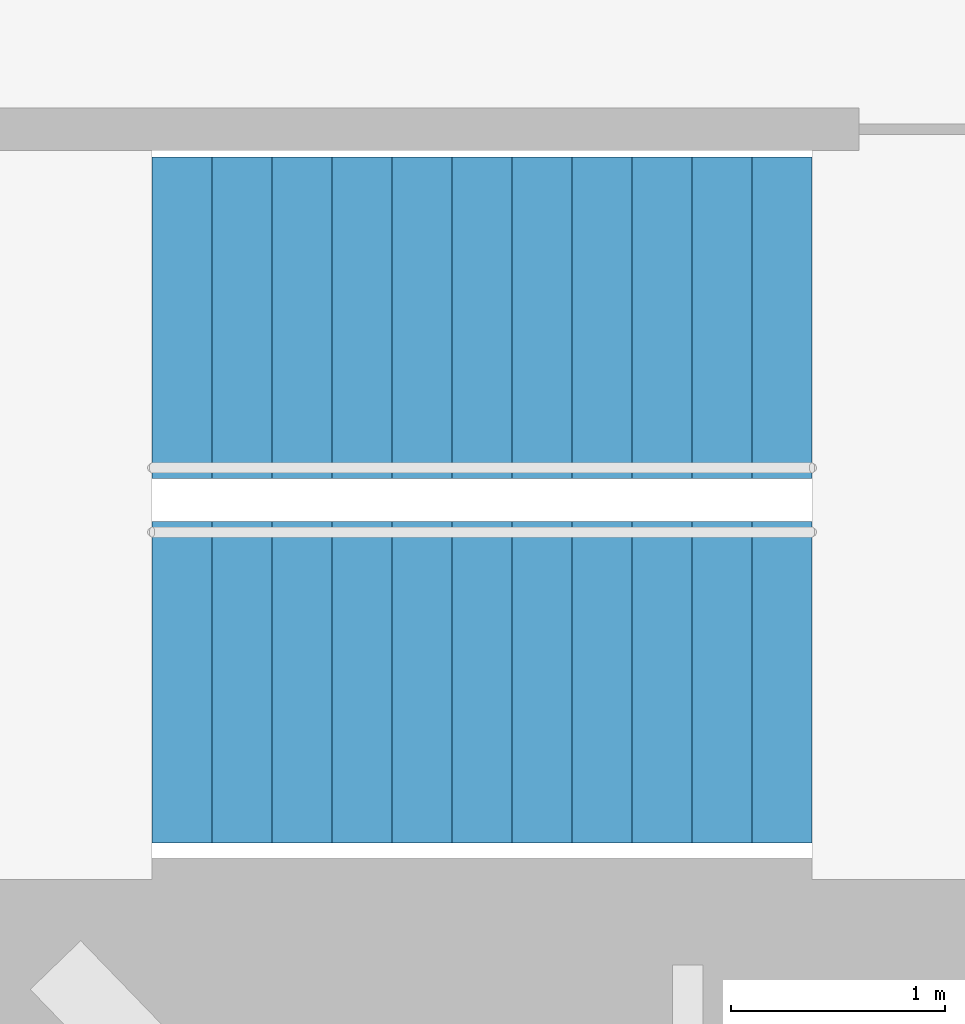
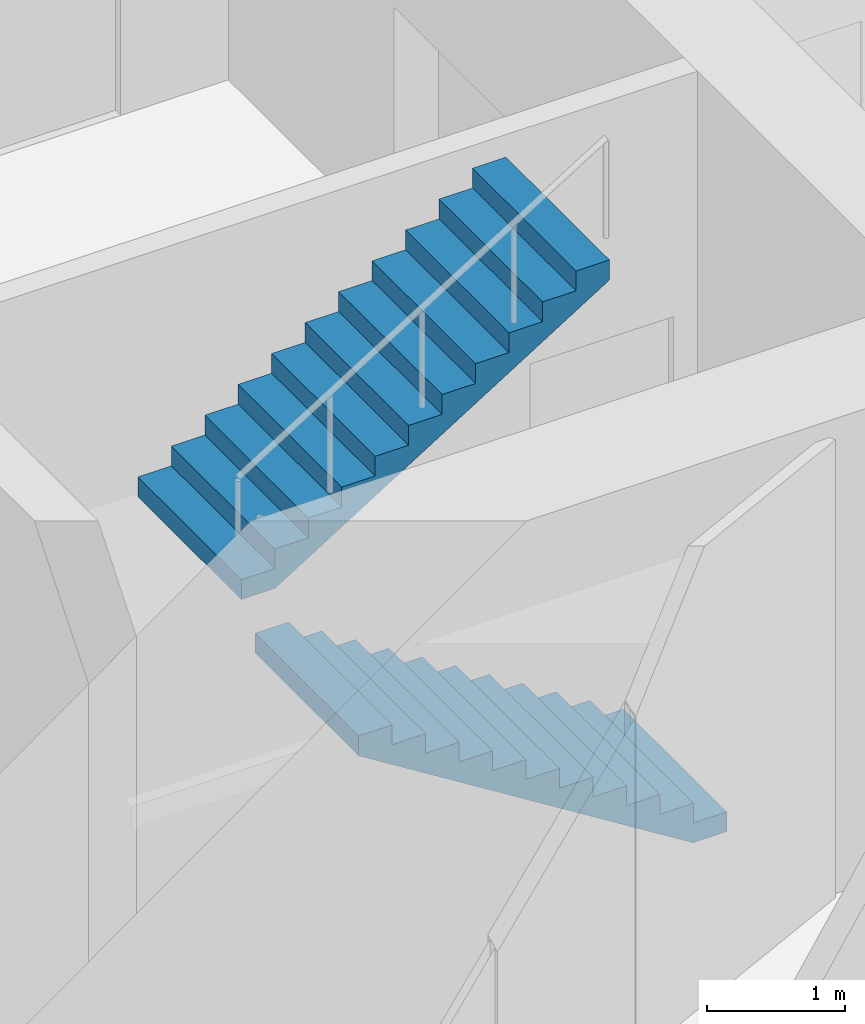
# One storey, part 16 of 17: 2 stair flights, 1 element without a shape of its own.
"""IFC4 building model written with IfcOpenShell, lengths in metres."""

from ifc_helpers import new_model, si_unit, direction, frame, origin, place, context, subcontext, project, spatial, triangles, material, type_object, element, aggregate, save


model = new_model("IFC4")

# Units and contexts
model_context = context("Model", 3, precision=1e-05, world=origin(), true_north=direction((0.0, 1.0)))
body_context = subcontext(model_context, "Body", "Model", "MODEL_VIEW")
ifc_project = project(units=[si_unit("LENGTHUNIT", "METRE"), si_unit("AREAUNIT", "SQUARE_METRE"), si_unit("VOLUMEUNIT", "CUBIC_METRE"), si_unit("PLANEANGLEUNIT", "RADIAN"), si_unit("MASSUNIT", "GRAM", prefix="KILO")], contexts=[model_context])

# Site, building, storey
site_placement = place(None, origin())
site = spatial("IfcSite", under=ifc_project, at=site_placement, CompositionType="ELEMENT")
building_placement = place(site_placement, origin())
building = spatial("IfcBuilding", under=site, at=building_placement, Name="Lantaw Convention Tower", CompositionType="ELEMENT")
storey_placement = place(building_placement, frame((0.0, 0.0, 220.0)))
storey = spatial("IfcBuildingStorey", under=building, at=storey_placement, Name="L51", CompositionType="ELEMENT", Elevation=220.0)

# Stair, stair flights
ifc_material = material(Name="Concrete C35/45", Category="concrete")
stair_type = type_object("IfcStairType", Name="Exit stair 1500 riser 175 in 2 flights", PredefinedType="HALF_TURN_STAIR", material=ifc_material)
stair_placement = place(storey_placement, origin())
stair = element("IfcStair", 1, at=stair_placement, inside=storey, type_object=stair_type, Name="Exit stair S2 L51", PredefinedType="HALF_TURN_STAIR")
stair_flight_type = type_object("IfcStairFlightType", Name="Stair flight 1500 riser 175", PredefinedType="STRAIGHT", material=ifc_material)
stair_flight_1_placement = place(storey_placement, frame((10.580078125, -5.97998046875, 0.0), z_axis=(0.0, 0.0, 1.0), x_axis=(-1.0, 0.0, 0.0)))
stair_flight_1 = element("IfcStairFlight", 2, at=stair_flight_1_placement, type_object=stair_flight_type, Name="S2 flight 1", NumberOfRisers=12, NumberOfTreads=11, PredefinedType="STRAIGHT", RiserHeight=0.175, TreadLength=0.28, context=body_context, shape_type="Tessellation", body=[
    triangles([(0.0, 0.75, 0.0), (0.0, 0.75, 0.175), (0.28, 0.75, 0.0), (0.28, 0.75, 0.175), (0.28, 0.75, 0.35), (0.28283517651771284, 0.75, 0.0), (0.28283517651771284, 0.75, 0.35), (0.56, 0.75, 0.17322801467642948), (0.56, 0.75, 0.35), (0.56, 0.75, 0.5249999999999999), (0.8400000000000001, 0.75, 0.34822801467642944), (0.8400000000000001, 0.75, 0.5249999999999999), (0.8400000000000001, 0.75, 0.7), (1.12, 0.75, 0.5232280146764294), (1.12, 0.75, 0.7), (1.12, 0.75, 0.875), (1.4000000000000001, 0.75, 0.6982280146764295), (1.4000000000000001, 0.75, 0.875), (1.4000000000000001, 0.75, 1.0499999999999998), (1.6800000000000002, 0.75, 0.8732280146764294), (1.6800000000000002, 0.75, 1.0499999999999998), (1.6800000000000002, 0.75, 1.2249999999999999), (1.9600000000000002, 0.75, 1.0482280146764293), (1.9600000000000002, 0.75, 1.2249999999999999), (1.9600000000000002, 0.75, 1.4), (2.24, 0.75, 1.2232280146764294), (2.24, 0.75, 1.4), (2.24, 0.75, 1.575), (2.5200000000000005, 0.75, 1.3982280146764294), (2.5200000000000005, 0.75, 1.575), (2.5200000000000005, 0.75, 1.75), (2.8000000000000003, 0.75, 1.5732280146764293), (2.8000000000000003, 0.75, 1.75), (2.8000000000000003, 0.75, 1.9249999999999998), (3.08, 0.75, 1.7482280146764293), (3.08, 0.75, 1.9249999999999998), (0.0, -0.75, 0.0), (0.0, -0.75, 0.175), (0.28, -0.75, 0.0), (0.28, -0.75, 0.175), (0.28, -0.75, 0.35), (0.28283517651771284, -0.75, 0.0), (0.28283517651771284, -0.75, 0.35), (0.56, -0.75, 0.17322801467642948), (0.56, -0.75, 0.35), (0.56, -0.75, 0.5249999999999999), (0.8400000000000001, -0.75, 0.34822801467642944), (0.8400000000000001, -0.75, 0.5249999999999999), (0.8400000000000001, -0.75, 0.7), (1.12, -0.75, 0.5232280146764294), (1.12, -0.75, 0.7), (1.12, -0.75, 0.875), (1.4000000000000001, -0.75, 0.6982280146764295), (1.4000000000000001, -0.75, 0.875), (1.4000000000000001, -0.75, 1.0499999999999998), (1.6800000000000002, -0.75, 0.8732280146764294), (1.6800000000000002, -0.75, 1.0499999999999998), (1.6800000000000002, -0.75, 1.2249999999999999), (1.9600000000000002, -0.75, 1.0482280146764293), (1.9600000000000002, -0.75, 1.2249999999999999), (1.9600000000000002, -0.75, 1.4), (2.24, -0.75, 1.2232280146764294), (2.24, -0.75, 1.4), (2.24, -0.75, 1.575), (2.5200000000000005, -0.75, 1.3982280146764294), (2.5200000000000005, -0.75, 1.575), (2.5200000000000005, -0.75, 1.75), (2.8000000000000003, -0.75, 1.5732280146764293), (2.8000000000000003, -0.75, 1.75), (2.8000000000000003, -0.75, 1.9249999999999998), (3.08, -0.75, 1.7482280146764293), (3.08, -0.75, 1.9249999999999998), (0.0, 0.15000000000000002, 0.175), (0.0, 0.15000000000000002, 0.0), (0.0, 0.0, 0.175), (0.0, 0.0, 0.0), (0.0, -0.15000000000000002, 0.175), (0.0, -0.15000000000000002, 0.0), (0.28, 0.15000000000000002, 0.35), (0.28, 0.15000000000000002, 0.175), (0.28, 0.0, 0.35), (0.28, 0.0, 0.175), (0.28, -0.15000000000000002, 0.35), (0.28, -0.15000000000000002, 0.175), (0.56, 0.15000000000000002, 0.5249999999999999), (0.56, 0.15000000000000002, 0.35), (0.56, 0.0, 0.5249999999999999), (0.56, 0.0, 0.35), (0.56, -0.15000000000000002, 0.5249999999999999), (0.56, -0.15000000000000002, 0.35), (0.8400000000000001, 0.15000000000000002, 0.7), (0.8400000000000001, 0.15000000000000002, 0.5249999999999999), (0.8400000000000001, 0.0, 0.7), (0.8400000000000001, 0.0, 0.5249999999999999), (0.8400000000000001, -0.15000000000000002, 0.7), (0.8400000000000001, -0.15000000000000002, 0.5249999999999999), (1.12, 0.15000000000000002, 0.875), (1.12, 0.15000000000000002, 0.7), (1.12, 0.0, 0.875), (1.12, 0.0, 0.7), (1.12, -0.15000000000000002, 0.875), (1.12, -0.15000000000000002, 0.7), (1.4000000000000001, 0.15000000000000002, 1.0499999999999998), (1.4000000000000001, 0.15000000000000002, 0.875), (1.4000000000000001, 0.0, 1.0499999999999998), (1.4000000000000001, 0.0, 0.875), (1.4000000000000001, -0.15000000000000002, 1.0499999999999998), (1.4000000000000001, -0.15000000000000002, 0.875), (1.6800000000000002, 0.15000000000000002, 1.2249999999999999), (1.6800000000000002, 0.15000000000000002, 1.0499999999999998), (1.6800000000000002, 0.0, 1.2249999999999999), (1.6800000000000002, 0.0, 1.0499999999999998), (1.6800000000000002, -0.15000000000000002, 1.2249999999999999), (1.6800000000000002, -0.15000000000000002, 1.0499999999999998), (1.9600000000000002, 0.15000000000000002, 1.4), (1.9600000000000002, 0.15000000000000002, 1.2249999999999999), (1.9600000000000002, 0.0, 1.4), (1.9600000000000002, 0.0, 1.2249999999999999), (1.9600000000000002, -0.15000000000000002, 1.4), (1.9600000000000002, -0.15000000000000002, 1.2249999999999999), (2.24, 0.15000000000000002, 1.575), (2.24, 0.15000000000000002, 1.4), (2.24, 0.0, 1.575), (2.24, 0.0, 1.4), (2.24, -0.15000000000000002, 1.575), (2.24, -0.15000000000000002, 1.4), (2.5200000000000005, 0.15000000000000002, 1.75), (2.5200000000000005, 0.15000000000000002, 1.575), (2.5200000000000005, 0.0, 1.75), (2.5200000000000005, 0.0, 1.575), (2.5200000000000005, -0.15000000000000002, 1.75), (2.5200000000000005, -0.15000000000000002, 1.575), (2.8000000000000003, 0.15000000000000002, 1.9249999999999998), (2.8000000000000003, 0.15000000000000002, 1.75), (2.8000000000000003, 0.0, 1.9249999999999998), (2.8000000000000003, 0.0, 1.75), (2.8000000000000003, -0.15000000000000002, 1.9249999999999998), (2.8000000000000003, -0.15000000000000002, 1.75), (0.28283517651771284, 0.15000000000000002, 0.35), (0.28283517651771284, 0.0, 0.35), (0.28283517651771284, -0.15000000000000002, 0.35), (3.08, 0.15000000000000002, 1.9249999999999998), (3.08, 0.0, 1.9249999999999998), (3.08, -0.15000000000000002, 1.9249999999999998), (3.08, 0.15000000000000002, 1.7482280146764293), (3.08, 0.0, 1.7482280146764293), (3.08, -0.15000000000000002, 1.7482280146764293), (2.8000000000000003, 0.15000000000000002, 1.5732280146764293), (2.8000000000000003, 0.0, 1.5732280146764293), (2.8000000000000003, -0.15000000000000002, 1.5732280146764293), (2.5200000000000005, 0.15000000000000002, 1.3982280146764294), (2.5200000000000005, 0.0, 1.3982280146764294), (2.5200000000000005, -0.15000000000000002, 1.3982280146764294), (2.24, 0.15000000000000002, 1.2232280146764294), (2.24, 0.0, 1.2232280146764294), (2.24, -0.15000000000000002, 1.2232280146764294), (1.9600000000000002, 0.15000000000000002, 1.0482280146764293), (1.9600000000000002, 0.0, 1.0482280146764293), (1.9600000000000002, -0.15000000000000002, 1.0482280146764293), (1.6800000000000002, 0.15000000000000002, 0.8732280146764294), (1.6800000000000002, 0.0, 0.8732280146764294), (1.6800000000000002, -0.15000000000000002, 0.8732280146764294), (1.4000000000000001, 0.15000000000000002, 0.6982280146764295), (1.4000000000000001, 0.0, 0.6982280146764295), (1.4000000000000001, -0.15000000000000002, 0.6982280146764295), (1.12, 0.15000000000000002, 0.5232280146764294), (1.12, 0.0, 0.5232280146764294), (1.12, -0.15000000000000002, 0.5232280146764294), (0.8400000000000001, 0.15000000000000002, 0.34822801467642944), (0.8400000000000001, 0.0, 0.34822801467642944), (0.8400000000000001, -0.15000000000000002, 0.34822801467642944), (0.56, 0.15000000000000002, 0.17322801467642948), (0.56, 0.0, 0.17322801467642948), (0.56, -0.15000000000000002, 0.17322801467642948), (0.28283517651771284, 0.15000000000000002, 0.0), (0.28283517651771284, 0.0, 0.0), (0.28283517651771284, -0.15000000000000002, 0.0), (0.28, 0.15000000000000002, 0.0), (0.28, 0.0, 0.0), (0.28, -0.15000000000000002, 0.0)], [[1, 4, 3], [1, 2, 4], [3, 4, 6], [4, 7, 6], [4, 5, 7], [6, 9, 8], [6, 7, 9], [8, 9, 11], [9, 12, 11], [9, 10, 12], [11, 12, 14], [12, 15, 14], [12, 13, 15], [14, 15, 17], [15, 18, 17], [15, 16, 18], [17, 18, 20], [18, 21, 20], [18, 19, 21], [20, 21, 23], [21, 24, 23], [21, 22, 24], [23, 24, 26], [24, 27, 26], [24, 25, 27], [26, 27, 29], [27, 30, 29], [27, 28, 30], [29, 30, 32], [30, 33, 32], [30, 31, 33], [32, 33, 35], [33, 36, 35], [33, 34, 36], [37, 39, 40], [37, 40, 38], [39, 42, 40], [40, 42, 43], [40, 43, 41], [42, 44, 45], [42, 45, 43], [44, 47, 45], [45, 47, 48], [45, 48, 46], [47, 50, 48], [48, 50, 51], [48, 51, 49], [50, 53, 51], [51, 53, 54], [51, 54, 52], [53, 56, 54], [54, 56, 57], [54, 57, 55], [56, 59, 57], [57, 59, 60], [57, 60, 58], [59, 62, 60], [60, 62, 63], [60, 63, 61], [62, 65, 63], [63, 65, 66], [63, 66, 64], [65, 68, 66], [66, 68, 69], [66, 69, 67], [68, 71, 69], [69, 71, 72], [69, 72, 70], [1, 73, 2], [1, 74, 73], [74, 75, 73], [74, 76, 75], [76, 77, 75], [76, 78, 77], [78, 38, 77], [78, 37, 38], [4, 79, 5], [4, 80, 79], [80, 81, 79], [80, 82, 81], [82, 83, 81], [82, 84, 83], [84, 41, 83], [84, 40, 41], [9, 85, 10], [9, 86, 85], [86, 87, 85], [86, 88, 87], [88, 89, 87], [88, 90, 89], [90, 46, 89], [90, 45, 46], [12, 91, 13], [12, 92, 91], [92, 93, 91], [92, 94, 93], [94, 95, 93], [94, 96, 95], [96, 49, 95], [96, 48, 49], [15, 97, 16], [15, 98, 97], [98, 99, 97], [98, 100, 99], [100, 101, 99], [100, 102, 101], [102, 52, 101], [102, 51, 52], [18, 103, 19], [18, 104, 103], [104, 105, 103], [104, 106, 105], [106, 107, 105], [106, 108, 107], [108, 55, 107], [108, 54, 55], [21, 109, 22], [21, 110, 109], [110, 111, 109], [110, 112, 111], [112, 113, 111], [112, 114, 113], [114, 58, 113], [114, 57, 58], [24, 115, 25], [24, 116, 115], [116, 117, 115], [116, 118, 117], [118, 119, 117], [118, 120, 119], [120, 61, 119], [120, 60, 61], [27, 121, 28], [27, 122, 121], [122, 123, 121], [122, 124, 123], [124, 125, 123], [124, 126, 125], [126, 64, 125], [126, 63, 64], [30, 127, 31], [30, 128, 127], [128, 129, 127], [128, 130, 129], [130, 131, 129], [130, 132, 131], [132, 67, 131], [132, 66, 67], [33, 133, 34], [33, 134, 133], [134, 135, 133], [134, 136, 135], [136, 137, 135], [136, 138, 137], [138, 70, 137], [138, 69, 70], [2, 80, 4], [2, 73, 80], [73, 82, 80], [73, 75, 82], [75, 84, 82], [75, 77, 84], [77, 40, 84], [77, 38, 40], [5, 139, 7], [5, 79, 139], [79, 140, 139], [79, 81, 140], [81, 141, 140], [81, 83, 141], [83, 43, 141], [83, 41, 43], [7, 86, 9], [7, 139, 86], [139, 88, 86], [139, 140, 88], [140, 90, 88], [140, 141, 90], [141, 45, 90], [141, 43, 45], [10, 92, 12], [10, 85, 92], [85, 94, 92], [85, 87, 94], [87, 96, 94], [87, 89, 96], [89, 48, 96], [89, 46, 48], [13, 98, 15], [13, 91, 98], [91, 100, 98], [91, 93, 100], [93, 102, 100], [93, 95, 102], [95, 51, 102], [95, 49, 51], [16, 104, 18], [16, 97, 104], [97, 106, 104], [97, 99, 106], [99, 108, 106], [99, 101, 108], [101, 54, 108], [101, 52, 54], [19, 110, 21], [19, 103, 110], [103, 112, 110], [103, 105, 112], [105, 114, 112], [105, 107, 114], [107, 57, 114], [107, 55, 57], [22, 116, 24], [22, 109, 116], [109, 118, 116], [109, 111, 118], [111, 120, 118], [111, 113, 120], [113, 60, 120], [113, 58, 60], [25, 122, 27], [25, 115, 122], [115, 124, 122], [115, 117, 124], [117, 126, 124], [117, 119, 126], [119, 63, 126], [119, 61, 63], [28, 128, 30], [28, 121, 128], [121, 130, 128], [121, 123, 130], [123, 132, 130], [123, 125, 132], [125, 66, 132], [125, 64, 66], [31, 134, 33], [31, 127, 134], [127, 136, 134], [127, 129, 136], [129, 138, 136], [129, 131, 138], [131, 69, 138], [131, 67, 69], [34, 142, 36], [34, 133, 142], [133, 143, 142], [133, 135, 143], [135, 144, 143], [135, 137, 144], [137, 72, 144], [137, 70, 72], [36, 145, 35], [36, 142, 145], [142, 146, 145], [142, 143, 146], [143, 147, 146], [143, 144, 147], [144, 71, 147], [144, 72, 71], [35, 148, 32], [35, 145, 148], [145, 149, 148], [145, 146, 149], [146, 150, 149], [146, 147, 150], [147, 68, 150], [147, 71, 68], [32, 151, 29], [32, 148, 151], [148, 152, 151], [148, 149, 152], [149, 153, 152], [149, 150, 153], [150, 65, 153], [150, 68, 65], [29, 154, 26], [29, 151, 154], [151, 155, 154], [151, 152, 155], [152, 156, 155], [152, 153, 156], [153, 62, 156], [153, 65, 62], [26, 157, 23], [26, 154, 157], [154, 158, 157], [154, 155, 158], [155, 159, 158], [155, 156, 159], [156, 59, 159], [156, 62, 59], [23, 160, 20], [23, 157, 160], [157, 161, 160], [157, 158, 161], [158, 162, 161], [158, 159, 162], [159, 56, 162], [159, 59, 56], [20, 163, 17], [20, 160, 163], [160, 164, 163], [160, 161, 164], [161, 165, 164], [161, 162, 165], [162, 53, 165], [162, 56, 53], [17, 166, 14], [17, 163, 166], [163, 167, 166], [163, 164, 167], [164, 168, 167], [164, 165, 168], [165, 50, 168], [165, 53, 50], [14, 169, 11], [14, 166, 169], [166, 170, 169], [166, 167, 170], [167, 171, 170], [167, 168, 171], [168, 47, 171], [168, 50, 47], [11, 172, 8], [11, 169, 172], [169, 173, 172], [169, 170, 173], [170, 174, 173], [170, 171, 174], [171, 44, 174], [171, 47, 44], [8, 175, 6], [8, 172, 175], [172, 176, 175], [172, 173, 176], [173, 177, 176], [173, 174, 177], [174, 42, 177], [174, 44, 42], [6, 178, 3], [6, 175, 178], [175, 179, 178], [175, 176, 179], [176, 180, 179], [176, 177, 180], [177, 39, 180], [177, 42, 39], [3, 74, 1], [3, 178, 74], [178, 76, 74], [178, 179, 76], [179, 78, 76], [179, 180, 78], [180, 37, 78], [180, 39, 37]], closed=True),
])
stair_flight_2_placement = place(storey_placement, frame((7.5, -4.280029296875, 2.10009765625), z_axis=(0.0, 0.0, 1.0), x_axis=(1.0, 0.0, 0.0)))
stair_flight_2 = element("IfcStairFlight", 3, at=stair_flight_2_placement, type_object=stair_flight_type, Name="S2 flight 2", NumberOfRisers=12, NumberOfTreads=11, PredefinedType="STRAIGHT", RiserHeight=0.175, TreadLength=0.28, context=body_context, shape_type="Tessellation", body=[
    triangles([(0.0, 0.75, 0.0), (0.0, 0.75, 0.175), (0.28, 0.75, 0.0), (0.28, 0.75, 0.175), (0.28, 0.75, 0.35), (0.28283517651771284, 0.75, 0.0), (0.28283517651771284, 0.75, 0.35), (0.56, 0.75, 0.17322801467642948), (0.56, 0.75, 0.35), (0.56, 0.75, 0.5249999999999999), (0.8400000000000001, 0.75, 0.34822801467642944), (0.8400000000000001, 0.75, 0.5249999999999999), (0.8400000000000001, 0.75, 0.7), (1.12, 0.75, 0.5232280146764294), (1.12, 0.75, 0.7), (1.12, 0.75, 0.875), (1.4000000000000001, 0.75, 0.6982280146764295), (1.4000000000000001, 0.75, 0.875), (1.4000000000000001, 0.75, 1.0499999999999998), (1.6800000000000002, 0.75, 0.8732280146764294), (1.6800000000000002, 0.75, 1.0499999999999998), (1.6800000000000002, 0.75, 1.2249999999999999), (1.9600000000000002, 0.75, 1.0482280146764293), (1.9600000000000002, 0.75, 1.2249999999999999), (1.9600000000000002, 0.75, 1.4), (2.24, 0.75, 1.2232280146764294), (2.24, 0.75, 1.4), (2.24, 0.75, 1.575), (2.5200000000000005, 0.75, 1.3982280146764294), (2.5200000000000005, 0.75, 1.575), (2.5200000000000005, 0.75, 1.75), (2.8000000000000003, 0.75, 1.5732280146764293), (2.8000000000000003, 0.75, 1.75), (2.8000000000000003, 0.75, 1.9249999999999998), (3.08, 0.75, 1.7482280146764293), (3.08, 0.75, 1.9249999999999998), (0.0, -0.75, 0.0), (0.0, -0.75, 0.175), (0.28, -0.75, 0.0), (0.28, -0.75, 0.175), (0.28, -0.75, 0.35), (0.28283517651771284, -0.75, 0.0), (0.28283517651771284, -0.75, 0.35), (0.56, -0.75, 0.17322801467642948), (0.56, -0.75, 0.35), (0.56, -0.75, 0.5249999999999999), (0.8400000000000001, -0.75, 0.34822801467642944), (0.8400000000000001, -0.75, 0.5249999999999999), (0.8400000000000001, -0.75, 0.7), (1.12, -0.75, 0.5232280146764294), (1.12, -0.75, 0.7), (1.12, -0.75, 0.875), (1.4000000000000001, -0.75, 0.6982280146764295), (1.4000000000000001, -0.75, 0.875), (1.4000000000000001, -0.75, 1.0499999999999998), (1.6800000000000002, -0.75, 0.8732280146764294), (1.6800000000000002, -0.75, 1.0499999999999998), (1.6800000000000002, -0.75, 1.2249999999999999), (1.9600000000000002, -0.75, 1.0482280146764293), (1.9600000000000002, -0.75, 1.2249999999999999), (1.9600000000000002, -0.75, 1.4), (2.24, -0.75, 1.2232280146764294), (2.24, -0.75, 1.4), (2.24, -0.75, 1.575), (2.5200000000000005, -0.75, 1.3982280146764294), (2.5200000000000005, -0.75, 1.575), (2.5200000000000005, -0.75, 1.75), (2.8000000000000003, -0.75, 1.5732280146764293), (2.8000000000000003, -0.75, 1.75), (2.8000000000000003, -0.75, 1.9249999999999998), (3.08, -0.75, 1.7482280146764293), (3.08, -0.75, 1.9249999999999998), (0.0, 0.15000000000000002, 0.175), (0.0, 0.15000000000000002, 0.0), (0.0, 0.0, 0.175), (0.0, 0.0, 0.0), (0.0, -0.15000000000000002, 0.175), (0.0, -0.15000000000000002, 0.0), (0.28, 0.15000000000000002, 0.35), (0.28, 0.15000000000000002, 0.175), (0.28, 0.0, 0.35), (0.28, 0.0, 0.175), (0.28, -0.15000000000000002, 0.35), (0.28, -0.15000000000000002, 0.175), (0.56, 0.15000000000000002, 0.5249999999999999), (0.56, 0.15000000000000002, 0.35), (0.56, 0.0, 0.5249999999999999), (0.56, 0.0, 0.35), (0.56, -0.15000000000000002, 0.5249999999999999), (0.56, -0.15000000000000002, 0.35), (0.8400000000000001, 0.15000000000000002, 0.7), (0.8400000000000001, 0.15000000000000002, 0.5249999999999999), (0.8400000000000001, 0.0, 0.7), (0.8400000000000001, 0.0, 0.5249999999999999), (0.8400000000000001, -0.15000000000000002, 0.7), (0.8400000000000001, -0.15000000000000002, 0.5249999999999999), (1.12, 0.15000000000000002, 0.875), (1.12, 0.15000000000000002, 0.7), (1.12, 0.0, 0.875), (1.12, 0.0, 0.7), (1.12, -0.15000000000000002, 0.875), (1.12, -0.15000000000000002, 0.7), (1.4000000000000001, 0.15000000000000002, 1.0499999999999998), (1.4000000000000001, 0.15000000000000002, 0.875), (1.4000000000000001, 0.0, 1.0499999999999998), (1.4000000000000001, 0.0, 0.875), (1.4000000000000001, -0.15000000000000002, 1.0499999999999998), (1.4000000000000001, -0.15000000000000002, 0.875), (1.6800000000000002, 0.15000000000000002, 1.2249999999999999), (1.6800000000000002, 0.15000000000000002, 1.0499999999999998), (1.6800000000000002, 0.0, 1.2249999999999999), (1.6800000000000002, 0.0, 1.0499999999999998), (1.6800000000000002, -0.15000000000000002, 1.2249999999999999), (1.6800000000000002, -0.15000000000000002, 1.0499999999999998), (1.9600000000000002, 0.15000000000000002, 1.4), (1.9600000000000002, 0.15000000000000002, 1.2249999999999999), (1.9600000000000002, 0.0, 1.4), (1.9600000000000002, 0.0, 1.2249999999999999), (1.9600000000000002, -0.15000000000000002, 1.4), (1.9600000000000002, -0.15000000000000002, 1.2249999999999999), (2.24, 0.15000000000000002, 1.575), (2.24, 0.15000000000000002, 1.4), (2.24, 0.0, 1.575), (2.24, 0.0, 1.4), (2.24, -0.15000000000000002, 1.575), (2.24, -0.15000000000000002, 1.4), (2.5200000000000005, 0.15000000000000002, 1.75), (2.5200000000000005, 0.15000000000000002, 1.575), (2.5200000000000005, 0.0, 1.75), (2.5200000000000005, 0.0, 1.575), (2.5200000000000005, -0.15000000000000002, 1.75), (2.5200000000000005, -0.15000000000000002, 1.575), (2.8000000000000003, 0.15000000000000002, 1.9249999999999998), (2.8000000000000003, 0.15000000000000002, 1.75), (2.8000000000000003, 0.0, 1.9249999999999998), (2.8000000000000003, 0.0, 1.75), (2.8000000000000003, -0.15000000000000002, 1.9249999999999998), (2.8000000000000003, -0.15000000000000002, 1.75), (0.28283517651771284, 0.15000000000000002, 0.35), (0.28283517651771284, 0.0, 0.35), (0.28283517651771284, -0.15000000000000002, 0.35), (3.08, 0.15000000000000002, 1.9249999999999998), (3.08, 0.0, 1.9249999999999998), (3.08, -0.15000000000000002, 1.9249999999999998), (3.08, 0.15000000000000002, 1.7482280146764293), (3.08, 0.0, 1.7482280146764293), (3.08, -0.15000000000000002, 1.7482280146764293), (2.8000000000000003, 0.15000000000000002, 1.5732280146764293), (2.8000000000000003, 0.0, 1.5732280146764293), (2.8000000000000003, -0.15000000000000002, 1.5732280146764293), (2.5200000000000005, 0.15000000000000002, 1.3982280146764294), (2.5200000000000005, 0.0, 1.3982280146764294), (2.5200000000000005, -0.15000000000000002, 1.3982280146764294), (2.24, 0.15000000000000002, 1.2232280146764294), (2.24, 0.0, 1.2232280146764294), (2.24, -0.15000000000000002, 1.2232280146764294), (1.9600000000000002, 0.15000000000000002, 1.0482280146764293), (1.9600000000000002, 0.0, 1.0482280146764293), (1.9600000000000002, -0.15000000000000002, 1.0482280146764293), (1.6800000000000002, 0.15000000000000002, 0.8732280146764294), (1.6800000000000002, 0.0, 0.8732280146764294), (1.6800000000000002, -0.15000000000000002, 0.8732280146764294), (1.4000000000000001, 0.15000000000000002, 0.6982280146764295), (1.4000000000000001, 0.0, 0.6982280146764295), (1.4000000000000001, -0.15000000000000002, 0.6982280146764295), (1.12, 0.15000000000000002, 0.5232280146764294), (1.12, 0.0, 0.5232280146764294), (1.12, -0.15000000000000002, 0.5232280146764294), (0.8400000000000001, 0.15000000000000002, 0.34822801467642944), (0.8400000000000001, 0.0, 0.34822801467642944), (0.8400000000000001, -0.15000000000000002, 0.34822801467642944), (0.56, 0.15000000000000002, 0.17322801467642948), (0.56, 0.0, 0.17322801467642948), (0.56, -0.15000000000000002, 0.17322801467642948), (0.28283517651771284, 0.15000000000000002, 0.0), (0.28283517651771284, 0.0, 0.0), (0.28283517651771284, -0.15000000000000002, 0.0), (0.28, 0.15000000000000002, 0.0), (0.28, 0.0, 0.0), (0.28, -0.15000000000000002, 0.0)], [[1, 4, 3], [1, 2, 4], [3, 4, 6], [4, 7, 6], [4, 5, 7], [6, 9, 8], [6, 7, 9], [8, 9, 11], [9, 12, 11], [9, 10, 12], [11, 12, 14], [12, 15, 14], [12, 13, 15], [14, 15, 17], [15, 18, 17], [15, 16, 18], [17, 18, 20], [18, 21, 20], [18, 19, 21], [20, 21, 23], [21, 24, 23], [21, 22, 24], [23, 24, 26], [24, 27, 26], [24, 25, 27], [26, 27, 29], [27, 30, 29], [27, 28, 30], [29, 30, 32], [30, 33, 32], [30, 31, 33], [32, 33, 35], [33, 36, 35], [33, 34, 36], [37, 39, 40], [37, 40, 38], [39, 42, 40], [40, 42, 43], [40, 43, 41], [42, 44, 45], [42, 45, 43], [44, 47, 45], [45, 47, 48], [45, 48, 46], [47, 50, 48], [48, 50, 51], [48, 51, 49], [50, 53, 51], [51, 53, 54], [51, 54, 52], [53, 56, 54], [54, 56, 57], [54, 57, 55], [56, 59, 57], [57, 59, 60], [57, 60, 58], [59, 62, 60], [60, 62, 63], [60, 63, 61], [62, 65, 63], [63, 65, 66], [63, 66, 64], [65, 68, 66], [66, 68, 69], [66, 69, 67], [68, 71, 69], [69, 71, 72], [69, 72, 70], [1, 73, 2], [1, 74, 73], [74, 75, 73], [74, 76, 75], [76, 77, 75], [76, 78, 77], [78, 38, 77], [78, 37, 38], [4, 79, 5], [4, 80, 79], [80, 81, 79], [80, 82, 81], [82, 83, 81], [82, 84, 83], [84, 41, 83], [84, 40, 41], [9, 85, 10], [9, 86, 85], [86, 87, 85], [86, 88, 87], [88, 89, 87], [88, 90, 89], [90, 46, 89], [90, 45, 46], [12, 91, 13], [12, 92, 91], [92, 93, 91], [92, 94, 93], [94, 95, 93], [94, 96, 95], [96, 49, 95], [96, 48, 49], [15, 97, 16], [15, 98, 97], [98, 99, 97], [98, 100, 99], [100, 101, 99], [100, 102, 101], [102, 52, 101], [102, 51, 52], [18, 103, 19], [18, 104, 103], [104, 105, 103], [104, 106, 105], [106, 107, 105], [106, 108, 107], [108, 55, 107], [108, 54, 55], [21, 109, 22], [21, 110, 109], [110, 111, 109], [110, 112, 111], [112, 113, 111], [112, 114, 113], [114, 58, 113], [114, 57, 58], [24, 115, 25], [24, 116, 115], [116, 117, 115], [116, 118, 117], [118, 119, 117], [118, 120, 119], [120, 61, 119], [120, 60, 61], [27, 121, 28], [27, 122, 121], [122, 123, 121], [122, 124, 123], [124, 125, 123], [124, 126, 125], [126, 64, 125], [126, 63, 64], [30, 127, 31], [30, 128, 127], [128, 129, 127], [128, 130, 129], [130, 131, 129], [130, 132, 131], [132, 67, 131], [132, 66, 67], [33, 133, 34], [33, 134, 133], [134, 135, 133], [134, 136, 135], [136, 137, 135], [136, 138, 137], [138, 70, 137], [138, 69, 70], [2, 80, 4], [2, 73, 80], [73, 82, 80], [73, 75, 82], [75, 84, 82], [75, 77, 84], [77, 40, 84], [77, 38, 40], [5, 139, 7], [5, 79, 139], [79, 140, 139], [79, 81, 140], [81, 141, 140], [81, 83, 141], [83, 43, 141], [83, 41, 43], [7, 86, 9], [7, 139, 86], [139, 88, 86], [139, 140, 88], [140, 90, 88], [140, 141, 90], [141, 45, 90], [141, 43, 45], [10, 92, 12], [10, 85, 92], [85, 94, 92], [85, 87, 94], [87, 96, 94], [87, 89, 96], [89, 48, 96], [89, 46, 48], [13, 98, 15], [13, 91, 98], [91, 100, 98], [91, 93, 100], [93, 102, 100], [93, 95, 102], [95, 51, 102], [95, 49, 51], [16, 104, 18], [16, 97, 104], [97, 106, 104], [97, 99, 106], [99, 108, 106], [99, 101, 108], [101, 54, 108], [101, 52, 54], [19, 110, 21], [19, 103, 110], [103, 112, 110], [103, 105, 112], [105, 114, 112], [105, 107, 114], [107, 57, 114], [107, 55, 57], [22, 116, 24], [22, 109, 116], [109, 118, 116], [109, 111, 118], [111, 120, 118], [111, 113, 120], [113, 60, 120], [113, 58, 60], [25, 122, 27], [25, 115, 122], [115, 124, 122], [115, 117, 124], [117, 126, 124], [117, 119, 126], [119, 63, 126], [119, 61, 63], [28, 128, 30], [28, 121, 128], [121, 130, 128], [121, 123, 130], [123, 132, 130], [123, 125, 132], [125, 66, 132], [125, 64, 66], [31, 134, 33], [31, 127, 134], [127, 136, 134], [127, 129, 136], [129, 138, 136], [129, 131, 138], [131, 69, 138], [131, 67, 69], [34, 142, 36], [34, 133, 142], [133, 143, 142], [133, 135, 143], [135, 144, 143], [135, 137, 144], [137, 72, 144], [137, 70, 72], [36, 145, 35], [36, 142, 145], [142, 146, 145], [142, 143, 146], [143, 147, 146], [143, 144, 147], [144, 71, 147], [144, 72, 71], [35, 148, 32], [35, 145, 148], [145, 149, 148], [145, 146, 149], [146, 150, 149], [146, 147, 150], [147, 68, 150], [147, 71, 68], [32, 151, 29], [32, 148, 151], [148, 152, 151], [148, 149, 152], [149, 153, 152], [149, 150, 153], [150, 65, 153], [150, 68, 65], [29, 154, 26], [29, 151, 154], [151, 155, 154], [151, 152, 155], [152, 156, 155], [152, 153, 156], [153, 62, 156], [153, 65, 62], [26, 157, 23], [26, 154, 157], [154, 158, 157], [154, 155, 158], [155, 159, 158], [155, 156, 159], [156, 59, 159], [156, 62, 59], [23, 160, 20], [23, 157, 160], [157, 161, 160], [157, 158, 161], [158, 162, 161], [158, 159, 162], [159, 56, 162], [159, 59, 56], [20, 163, 17], [20, 160, 163], [160, 164, 163], [160, 161, 164], [161, 165, 164], [161, 162, 165], [162, 53, 165], [162, 56, 53], [17, 166, 14], [17, 163, 166], [163, 167, 166], [163, 164, 167], [164, 168, 167], [164, 165, 168], [165, 50, 168], [165, 53, 50], [14, 169, 11], [14, 166, 169], [166, 170, 169], [166, 167, 170], [167, 171, 170], [167, 168, 171], [168, 47, 171], [168, 50, 47], [11, 172, 8], [11, 169, 172], [169, 173, 172], [169, 170, 173], [170, 174, 173], [170, 171, 174], [171, 44, 174], [171, 47, 44], [8, 175, 6], [8, 172, 175], [172, 176, 175], [172, 173, 176], [173, 177, 176], [173, 174, 177], [174, 42, 177], [174, 44, 42], [6, 178, 3], [6, 175, 178], [175, 179, 178], [175, 176, 179], [176, 180, 179], [176, 177, 180], [177, 39, 180], [177, 42, 39], [3, 74, 1], [3, 178, 74], [178, 76, 74], [178, 179, 76], [179, 78, 76], [179, 180, 78], [180, 37, 78], [180, 39, 37]], closed=True),
])
aggregate(stair, [stair_flight_1, stair_flight_2])

save(model, "model.ifc")
